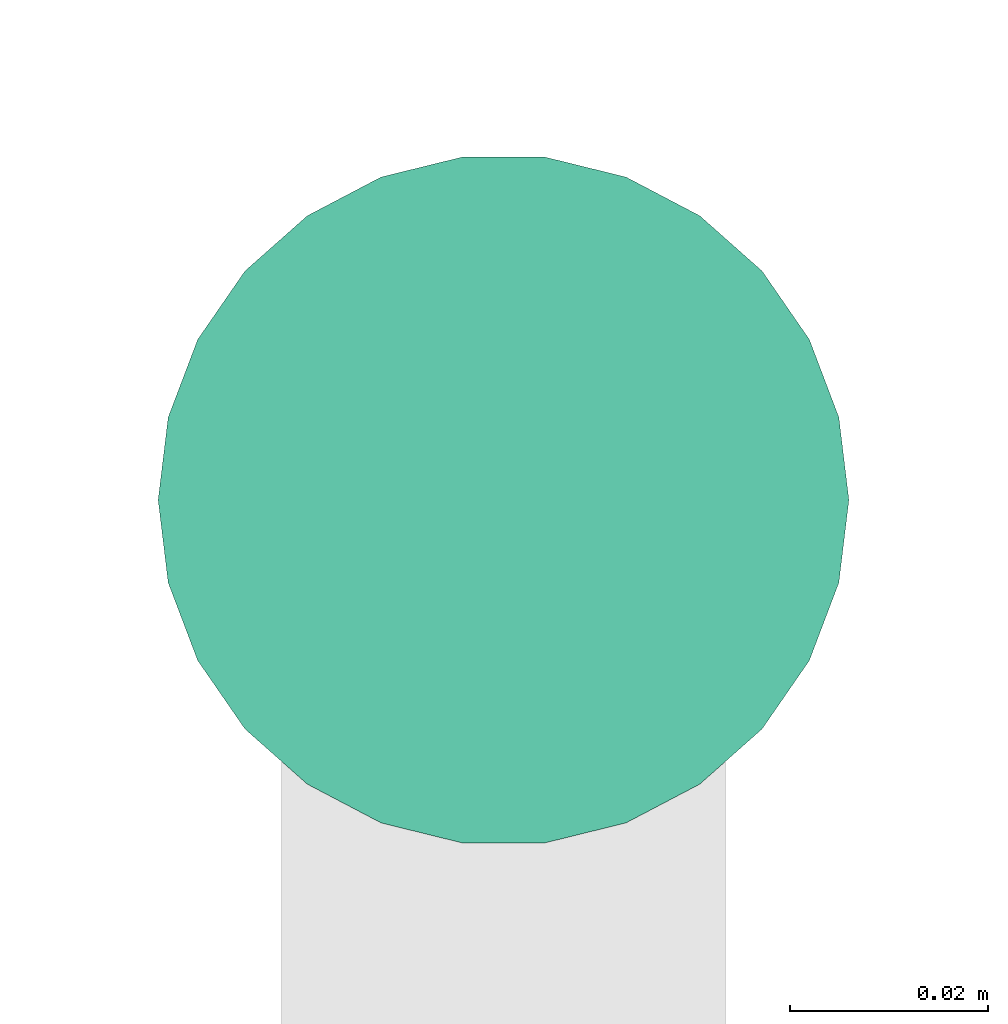
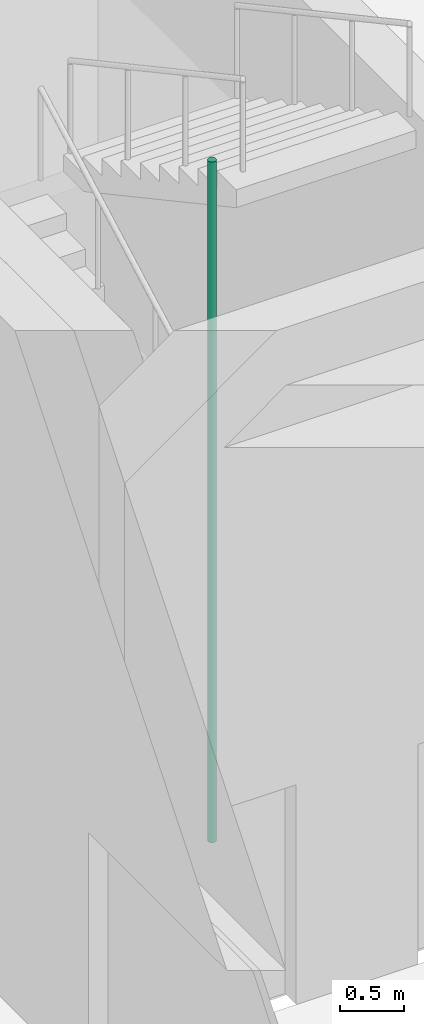
# One storey, part 32 of 45: 1 pipe segment.
"""IFC4 building model written with IfcOpenShell, lengths in metres."""

from ifc_helpers import new_model, si_unit, direction, frame, origin, origin_2d, place, context, subcontext, project, spatial, circle, extrude, element, save


model = new_model("IFC4")

# Units and contexts
model_context = context("Model", 3, precision=1e-05, world=origin(), true_north=direction((0.0, 1.0)))
body_context = subcontext(model_context, "Body", "Model", "MODEL_VIEW")
ifc_project = project(units=[si_unit("LENGTHUNIT", "METRE"), si_unit("AREAUNIT", "SQUARE_METRE"), si_unit("VOLUMEUNIT", "CUBIC_METRE"), si_unit("PLANEANGLEUNIT", "RADIAN"), si_unit("MASSUNIT", "GRAM", prefix="KILO")], contexts=[model_context])

# Site, building, storey
site_placement = place(None, origin())
site = spatial("IfcSite", under=ifc_project, at=site_placement, CompositionType="ELEMENT")
building_placement = place(site_placement, origin())
building = spatial("IfcBuilding", under=site, at=building_placement, Name="Nzadi Deep Aquarium and Research Tower", CompositionType="ELEMENT")
storey_placement = place(building_placement, origin())
storey = spatial("IfcBuildingStorey", under=building, at=storey_placement, Name="G", CompositionType="ELEMENT", Elevation=0.0)

# Pipe segment
pipe_segment_placement = place(storey_placement, frame((2.300048828125, 12.320068359375, 0.0), z_axis=(0.0, 0.0, 1.0), x_axis=(1.0, 0.0, 0.0)))
element("IfcPipeSegment", 1, at=pipe_segment_placement, inside=storey, Name="Dry riser ST-Z1-SW G", PredefinedType="RIGIDSEGMENT", context=body_context, shape_type="SweptSolid", body=[
    extrude(circle(Radius=0.034912109375, at=origin_2d()), origin(), (0.0, 0.0, 1.0), 6.5),
])

save(model, "model.ifc")
